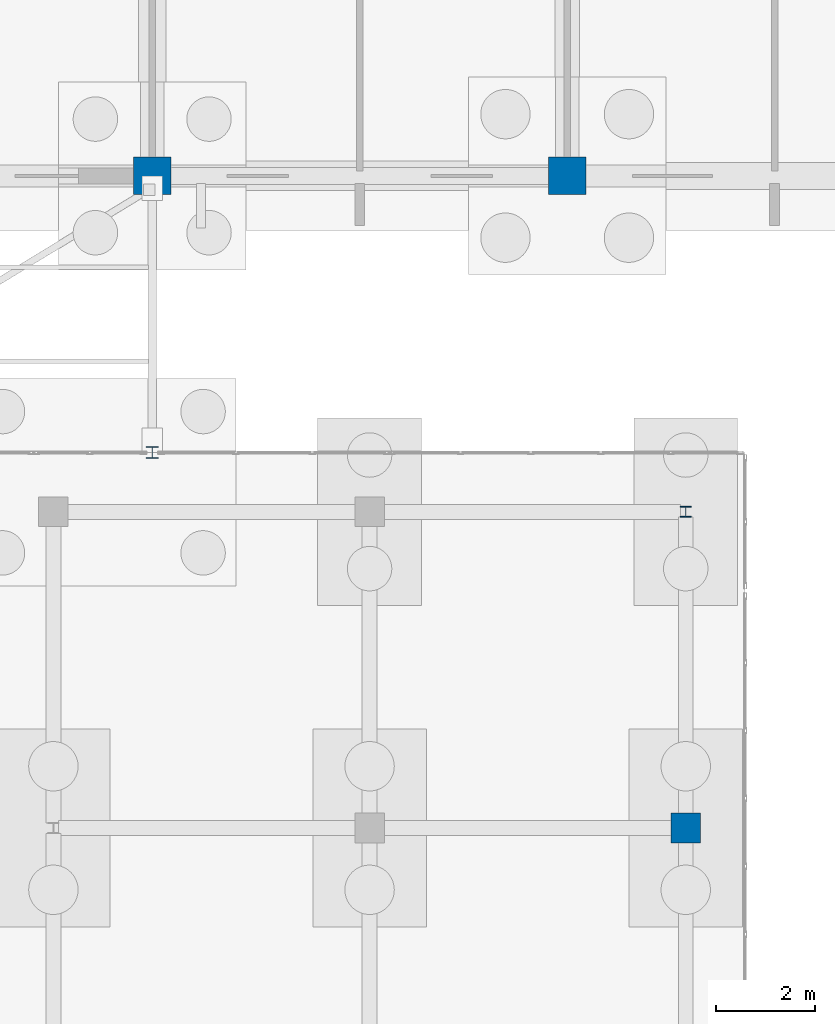
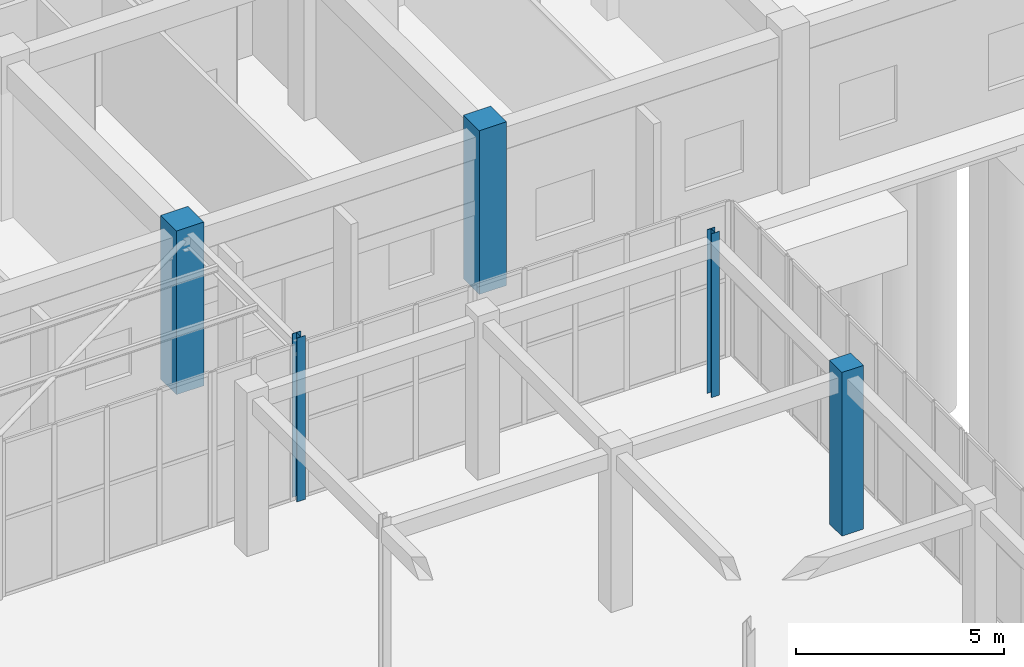
# One storey, part 39 of 192: 5 columns.
"""IFC4 building model written with IfcOpenShell, lengths in metres."""

from ifc_helpers import new_model, si_unit, direction, frame, origin, origin_2d, place, context, subcontext, project, spatial, rectangle, i_section, extrude, material, material_profile, profile_set, type_object, element, save


model = new_model("IFC4")

# Units and contexts
model_context = context("Model", 3, precision=1e-05, world=origin(), true_north=direction((0.0, 1.0)))
body_context = subcontext(model_context, "Body", "Model", "MODEL_VIEW")
ifc_project = project(units=[si_unit("LENGTHUNIT", "METRE"), si_unit("AREAUNIT", "SQUARE_METRE"), si_unit("VOLUMEUNIT", "CUBIC_METRE"), si_unit("PLANEANGLEUNIT", "RADIAN"), si_unit("MASSUNIT", "GRAM", prefix="KILO")], contexts=[model_context])

# Site, building, storey
site_placement = place(None, origin())
site = spatial("IfcSite", under=ifc_project, at=site_placement, CompositionType="ELEMENT")
building_placement = place(site_placement, origin())
building = spatial("IfcBuilding", under=site, at=building_placement, Name="Trelvath General Hospital", CompositionType="ELEMENT")
storey_placement = place(building_placement, origin())
storey = spatial("IfcBuildingStorey", under=building, at=storey_placement, Name="L00", CompositionType="ELEMENT", Elevation=0.0)

# Columns
ifc_material_1 = material(Name="Steel S355", Category="steel")
ifc_material_profile_1 = material_profile(ifc_material_1, i_section(OverallWidth=0.239990234375, OverallDepth=0.22998046875, WebThickness=0.007568359375, FlangeThickness=0.011962890625, at=origin_2d()), Name="HEA240")
ifc_profile_set_1 = profile_set([ifc_material_profile_1], Name="Steel S355")
column_type_1 = type_object("IfcColumnType", Name="BridgeColumn HEA240", PredefinedType="COLUMN", material=ifc_profile_set_1)
column_1_placement = place(storey_placement, frame((109.199951171875, 86.800048828125, 0.0), z_axis=(0.0, 0.0, 1.0), x_axis=(1.0, 0.0, 0.0)))
element("IfcColumn", 1, at=column_1_placement, inside=storey, type_object=column_type_1, Name="Bridge Portal Column BC-08 L00", PredefinedType="COLUMN", context=body_context, shape_type="SweptSolid", body=[
    extrude(i_section(OverallWidth=0.239990234375, OverallDepth=0.22998046875, WebThickness=0.007568359375, FlangeThickness=0.011962890625, at=origin_2d()), origin(), (0.0, 0.0, 1.0), 4.800048828125),
])
ifc_material_2 = material(Name="Concrete C40/50", Category="concrete")
ifc_material_profile_2 = material_profile(ifc_material_2, rectangle(XDim=0.60009765625, YDim=0.60009765625, at=origin_2d()), Name="RC600x600")
ifc_profile_set_2 = profile_set([ifc_material_profile_2], Name="Concrete C40/50")
column_type_2 = type_object("IfcColumnType", Name="Column RC600", PredefinedType="COLUMN", material=ifc_profile_set_2)
column_2_placement = place(storey_placement, frame((120.0, 79.199951171875, 0.0), z_axis=(0.0, 0.0, 1.0), x_axis=(1.0, 0.0, 0.0)))
element("IfcColumn", 2, at=column_2_placement, inside=storey, type_object=column_type_2, Name="Cube Interior Column CC-E20 L00", PredefinedType="COLUMN", context=body_context, shape_type="SweptSolid", body=[
    extrude(rectangle(XDim=0.60009765625, YDim=0.60009765625, at=origin_2d()), origin(), (0.0, 0.0, 1.0), 4.800048828125),
])
ifc_material_3 = material(Name="Concrete C40/50", Category="concrete")
ifc_material_profile_3 = material_profile(ifc_material_3, rectangle(XDim=0.760009765625, YDim=0.760009765625, at=origin_2d()), Name="RC760x760")
ifc_profile_set_3 = profile_set([ifc_material_profile_3], Name="Concrete C40/50")
column_type_3 = type_object("IfcColumnType", Name="Column RC760", PredefinedType="COLUMN", material=ifc_profile_set_3)
for number, where, z_axis, x_axis, name in (
    (3, (109.199951171875, 92.39990234375, 0.0), (0.0, 0.0, 1.0), (1.0, 0.0, 0.0), "Column C-14L L00"),
    (4, (117.60009765625, 92.39990234375, 0.0), (0.0, 0.0, 1.0), (1.0, 0.0, 0.0), "Column C-15L L00"),
):
    element("IfcColumn", number, at=place(storey_placement, frame(where, z_axis=z_axis, x_axis=x_axis)), inside=storey, type_object=column_type_3, Name=name, PredefinedType="COLUMN", context=body_context, shape_type="SweptSolid", body=[
        extrude(rectangle(XDim=0.760009765625, YDim=0.760009765625, at=origin_2d()), origin(), (0.0, 0.0, 1.0), 4.800048828125),
    ])
ifc_material_4 = material(Name="Steel S355", Category="steel")
ifc_material_profile_4 = material_profile(ifc_material_4, i_section(OverallWidth=0.219970703125, OverallDepth=0.219970703125, WebThickness=0.009521484375, FlangeThickness=0.01611328125, at=origin_2d()), Name="HEB220")
ifc_profile_set_4 = profile_set([ifc_material_profile_4], Name="Steel S355")
column_type_4 = type_object("IfcColumnType", Name="CubePost HEB220", PredefinedType="COLUMN", material=ifc_profile_set_4)
column_3_placement = place(storey_placement, frame((120.0, 85.60009765625, 0.0), z_axis=(0.0, 0.0, 1.0), x_axis=(1.0, 0.0, 0.0)))
element("IfcColumn", 5, at=column_3_placement, inside=storey, type_object=column_type_4, Name="Cube Interior Column CC-E21 L00", PredefinedType="COLUMN", context=body_context, shape_type="SweptSolid", body=[
    extrude(i_section(OverallWidth=0.219970703125, OverallDepth=0.219970703125, WebThickness=0.009521484375, FlangeThickness=0.01611328125, at=origin_2d()), origin(), (0.0, 0.0, 1.0), 4.800048828125),
])

save(model, "model.ifc")
